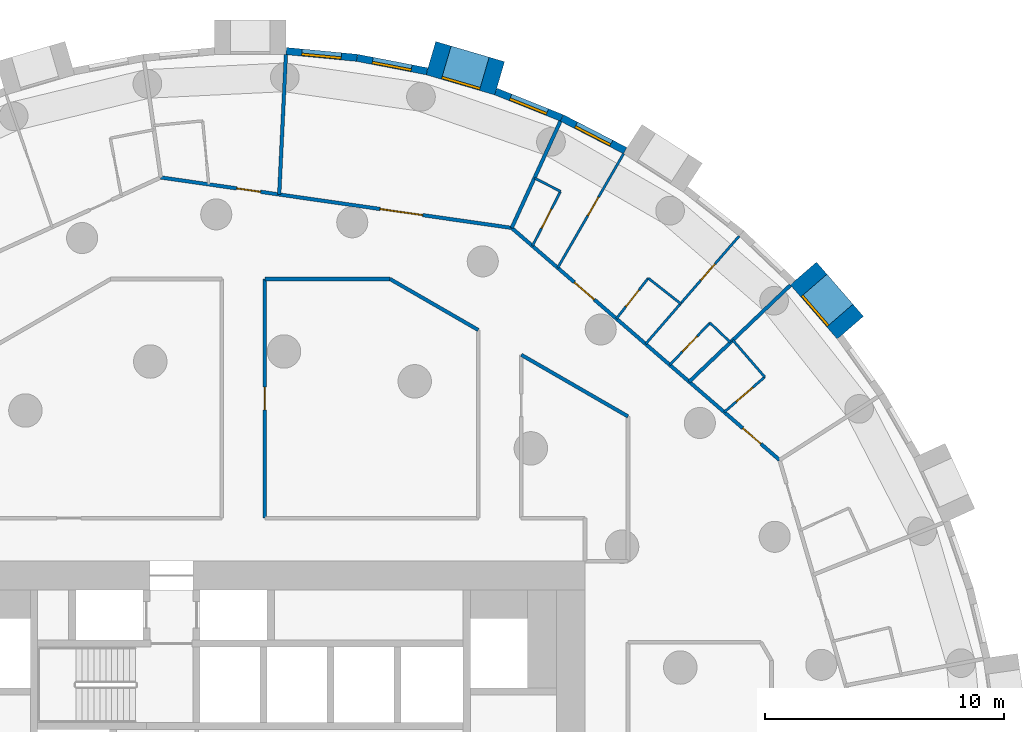
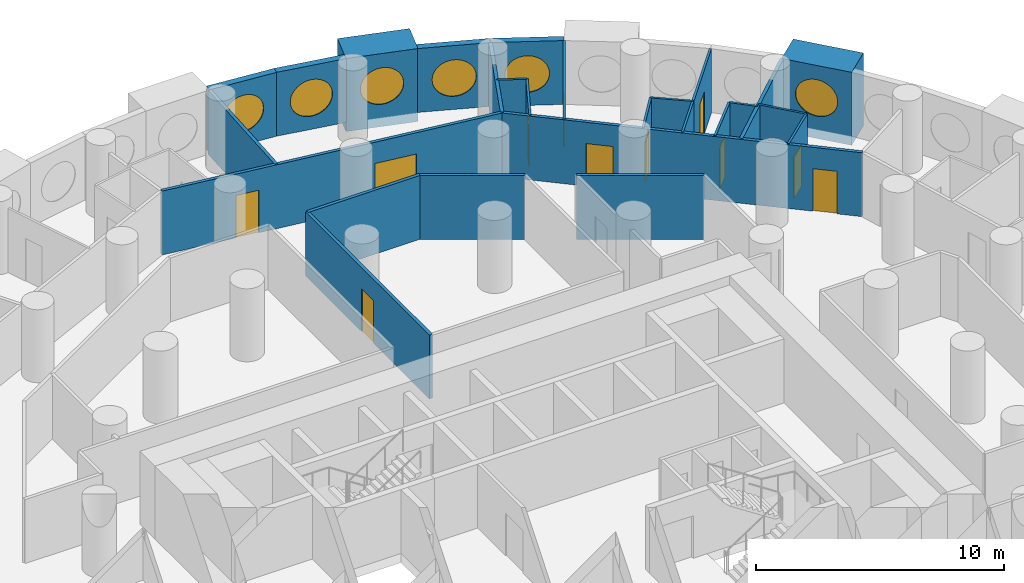
# One storey, part 10 of 12: 26 walls, 11 doors, 6 windows, 17 openings.
"""IFC4 building model written with IfcOpenShell, lengths in metres."""

from ifc_helpers import new_model, si_unit, direction, frame, frame_2d, origin, origin_2d, place, context, subcontext, project, spatial, rectangle, circle, extrude, material, layer, layer_set, type_object, element, fill, save


model = new_model("IFC4")

# Units and contexts
model_context = context("Model", 3, precision=1e-05, world=origin(), true_north=direction((0.0, 1.0)))
body_context = subcontext(model_context, "Body", "Model", "MODEL_VIEW")
ifc_project = project(units=[si_unit("LENGTHUNIT", "METRE"), si_unit("AREAUNIT", "SQUARE_METRE"), si_unit("VOLUMEUNIT", "CUBIC_METRE"), si_unit("PLANEANGLEUNIT", "RADIAN"), si_unit("MASSUNIT", "GRAM", prefix="KILO")], contexts=[model_context])

# Site, building, storey
site_placement = place(None, origin())
site = spatial("IfcSite", under=ifc_project, at=site_placement, CompositionType="ELEMENT")
building_placement = place(site_placement, origin())
building = spatial("IfcBuilding", under=site, at=building_placement, Name="Tracery Tower", CompositionType="ELEMENT")
storey_placement = place(building_placement, frame((0.0, 0.0, 107.39990234375)))
storey = spatial("IfcBuildingStorey", under=building, at=storey_placement, Name="L27", CompositionType="ELEMENT", Elevation=107.39990234375)

# Wall, opening, window
ifc_material_1 = material(Name="Precast concrete C50/60", Category="concrete")
ifc_layer_1 = layer(ifc_material_1, 1.449951171875)
ifc_layer_set_1 = layer_set([ifc_layer_1], Name="Deep-set bay unit 3000 x 3600, slab edge 450")
wall_type_1 = type_object("IfcWallType", Name="Deep-set bay unit 3000 x 3600, slab edge 450", PredefinedType="ELEMENTEDWALL", material=ifc_layer_set_1)
wall_1_placement = place(storey_placement, frame((25.101318359375, 19.765625, -0.449951171875), z_axis=(0.0, 0.0, 1.0), x_axis=(-0.654890259022, 0.75572398972, 0.0)))
wall_1 = element("IfcWall", 1, at=wall_1_placement, inside=storey, type_object=wall_type_1, Name="Deep-set bay unit 8 at L27", PredefinedType="ELEMENTEDWALL", context=body_context, shape_type="SweptSolid", body=[
    extrude(rectangle(XDim=3.0, YDim=1.449951171875, at=frame_2d((1.5, 0.0))), origin(), (0.0, 0.0, 1.0), 3.60009765625),
])
opening_1_placement = place(wall_1_placement, frame((1.5, 0.0, 2.0)))
opening_1 = element("IfcOpeningElement", 2, at=opening_1_placement, cuts=wall_1, Name="Opening WN1", PredefinedType="OPENING", context=body_context, shape_type="SweptSolid", body=[
    extrude(circle(Radius=0.9000244140625, at=origin_2d()), frame((0.0, 0.73486328125, 0.0), z_axis=(0.0, -1.0, 0.0), x_axis=(1.0, 0.0, 0.0)), (0.0, 0.0, 1.0), 1.469970703125),
])
ifc_material_2 = material(Name="Aluminium frame with tinted double glazing", Category="aluminium")
window_type = type_object("IfcWindowType", Name="Round window 1800", PartitioningType="SINGLE_PANEL", PredefinedType="WINDOW", material=ifc_material_2)
window_1_placement = place(opening_1_placement, origin())
window_1 = element("IfcWindow", 3, at=window_1_placement, inside=storey, type_object=window_type, Name="Round window 8 at L27", OverallHeight=1.800048828125, OverallWidth=1.800048828125, PartitioningType="SINGLE_PANEL", PredefinedType="WINDOW", context=body_context, shape_type="SweptSolid", body=[
    extrude(circle(Radius=0.9000244140625, at=origin_2d()), frame((0.0, 0.69482421875, 0.0), z_axis=(0.0, -1.0, 0.0), x_axis=(1.0, 0.0, 0.0)), (0.0, 0.0, 1.0), 0.10009765625),
])
fill(opening_1, window_1)

wall_2_placement = place(storey_placement, frame((10.430419921875, 30.198486328125, -0.449951171875), z_axis=(0.0, 0.0, 1.0), x_axis=(-0.959489813418, 0.281743319258, 0.0)))
wall_2 = element("IfcWall", 4, at=wall_2_placement, inside=storey, type_object=wall_type_1, Name="Deep-set bay unit 14 at L27", PredefinedType="ELEMENTEDWALL", context=body_context, shape_type="SweptSolid", body=[
    extrude(rectangle(XDim=3.0, YDim=1.449951171875, at=frame_2d((1.5, 0.0))), origin(), (0.0, 0.0, 1.0), 3.60009765625),
])
opening_2_placement = place(wall_2_placement, frame((1.5, 0.0, 2.0)))
opening_2 = element("IfcOpeningElement", 5, at=opening_2_placement, cuts=wall_2, Name="Opening WN1", PredefinedType="OPENING", context=body_context, shape_type="SweptSolid", body=[
    extrude(circle(Radius=0.9000244140625, at=origin_2d()), frame((0.0, 0.73486328125, 0.0), z_axis=(0.0, -1.0, 0.0), x_axis=(1.0, 0.0, 0.0)), (0.0, 0.0, 1.0), 1.469970703125),
])
window_2_placement = place(opening_2_placement, origin())
window_2 = element("IfcWindow", 6, at=window_2_placement, inside=storey, type_object=window_type, Name="Round window 14 at L27", OverallHeight=1.800048828125, OverallWidth=1.800048828125, PartitioningType="SINGLE_PANEL", PredefinedType="WINDOW", context=body_context, shape_type="SweptSolid", body=[
    extrude(circle(Radius=0.9000244140625, at=origin_2d()), frame((0.0, 0.69482421875, 0.0), z_axis=(0.0, -1.0, 0.0), x_axis=(1.0, 0.0, 0.0)), (0.0, 0.0, 1.0), 0.10009765625),
])
fill(opening_2, window_2)

ifc_material_3 = material(Name="Precast concrete C50/60", Category="concrete")
ifc_layer_2 = layer(ifc_material_3, 0.300048828125)
ifc_layer_set_2 = layer_set([ifc_layer_2], Name="Facade panel 3000 x 3150")
wall_type_2 = type_object("IfcWallType", Name="Facade panel 3000 x 3150", PredefinedType="SOLIDWALL", material=ifc_layer_set_2)
wall_3_placement = place(storey_placement, frame((15.681884765625, 27.173828125, 0.0), z_axis=(0.0, 0.0, 1.0), x_axis=(-0.888819853856, 0.458256770153, 0.0)))
wall_3 = element("IfcWall", 7, at=wall_3_placement, inside=storey, type_object=wall_type_2, Name="Facade panel 12 at L27", PredefinedType="SOLIDWALL", context=body_context, shape_type="SweptSolid", body=[
    extrude(rectangle(XDim=2.979736328125, YDim=0.300048828125, at=frame_2d((1.48974609375, 0.0))), origin(), (0.0, 0.0, 1.0), 3.150146484375),
])
opening_3_placement = place(wall_3_placement, frame((1.48974609375, 0.0, 1.5498046875)))
opening_3 = element("IfcOpeningElement", 8, at=opening_3_placement, cuts=wall_3, Name="Opening WN1", PredefinedType="OPENING", context=body_context, shape_type="SweptSolid", body=[
    extrude(circle(Radius=0.9000244140625, at=origin_2d()), frame((0.0, 0.159912109375, 0.0), z_axis=(0.0, -1.0, 0.0), x_axis=(1.0, 0.0, 0.0)), (0.0, 0.0, 1.0), 0.320068359375),
])
window_3_placement = place(opening_3_placement, origin())
window_3 = element("IfcWindow", 9, at=window_3_placement, inside=storey, type_object=window_type, Name="Round window 12 at L27", OverallHeight=1.800048828125, OverallWidth=1.800048828125, PartitioningType="SINGLE_PANEL", PredefinedType="WINDOW", context=body_context, shape_type="SweptSolid", body=[
    extrude(circle(Radius=0.9000244140625, at=origin_2d()), frame((0.0, 0.1201171875, 0.0), z_axis=(0.0, -1.0, 0.0), x_axis=(1.0, 0.0, 0.0)), (0.0, 0.0, 1.0), 0.10009765625),
])
fill(opening_3, window_3)

wall_4_placement = place(storey_placement, frame((13.033447265625, 28.539306640625, 0.0), z_axis=(0.0, 0.0, 1.0), x_axis=(-0.928403213937, 0.371574316054, 0.0)))
wall_4 = element("IfcWall", 10, at=wall_4_placement, inside=storey, type_object=wall_type_2, Name="Facade panel 13 at L27", PredefinedType="SOLIDWALL", context=body_context, shape_type="SweptSolid", body=[
    extrude(rectangle(XDim=2.979736328125, YDim=0.300048828125, at=frame_2d((1.48974609375, 0.0))), origin(), (0.0, 0.0, 1.0), 3.150146484375),
])
opening_4_placement = place(wall_4_placement, frame((1.48974609375, 0.0, 1.5498046875)))
opening_4 = element("IfcOpeningElement", 11, at=opening_4_placement, cuts=wall_4, Name="Opening WN1", PredefinedType="OPENING", context=body_context, shape_type="SweptSolid", body=[
    extrude(circle(Radius=0.9000244140625, at=origin_2d()), frame((0.0, 0.159912109375, 0.0), z_axis=(0.0, -1.0, 0.0), x_axis=(1.0, 0.0, 0.0)), (0.0, 0.0, 1.0), 0.320068359375),
])
window_4_placement = place(opening_4_placement, origin())
window_4 = element("IfcWindow", 12, at=window_4_placement, inside=storey, type_object=window_type, Name="Round window 13 at L27", OverallHeight=1.800048828125, OverallWidth=1.800048828125, PartitioningType="SINGLE_PANEL", PredefinedType="WINDOW", context=body_context, shape_type="SweptSolid", body=[
    extrude(circle(Radius=0.9000244140625, at=origin_2d()), frame((0.0, 0.1201171875, 0.0), z_axis=(0.0, -1.0, 0.0), x_axis=(1.0, 0.0, 0.0)), (0.0, 0.0, 1.0), 0.10009765625),
])
fill(opening_4, window_4)

wall_5_placement = place(storey_placement, frame((7.390869140625, 30.4912109375, 0.0), z_axis=(0.0, 0.0, 1.0), x_axis=(-0.981924535406, 0.189272836848, 0.0)))
wall_5 = element("IfcWall", 13, at=wall_5_placement, inside=storey, type_object=wall_type_2, Name="Facade panel 15 at L27", PredefinedType="SOLIDWALL", context=body_context, shape_type="SweptSolid", body=[
    extrude(rectangle(XDim=2.979736328125, YDim=0.300048828125, at=frame_2d((1.48974609375, 0.0))), origin(), (0.0, 0.0, 1.0), 3.150146484375),
])
opening_5_placement = place(wall_5_placement, frame((1.48974609375, 0.0, 1.5498046875)))
opening_5 = element("IfcOpeningElement", 14, at=opening_5_placement, cuts=wall_5, Name="Opening WN1", PredefinedType="OPENING", context=body_context, shape_type="SweptSolid", body=[
    extrude(circle(Radius=0.9000244140625, at=origin_2d()), frame((0.0, 0.159912109375, 0.0), z_axis=(0.0, -1.0, 0.0), x_axis=(1.0, 0.0, 0.0)), (0.0, 0.0, 1.0), 0.320068359375),
])
window_5_placement = place(opening_5_placement, origin())
window_5 = element("IfcWindow", 15, at=window_5_placement, inside=storey, type_object=window_type, Name="Round window 15 at L27", OverallHeight=1.800048828125, OverallWidth=1.800048828125, PartitioningType="SINGLE_PANEL", PredefinedType="WINDOW", context=body_context, shape_type="SweptSolid", body=[
    extrude(circle(Radius=0.9000244140625, at=origin_2d()), frame((0.0, 0.1201171875, 0.0), z_axis=(0.0, -1.0, 0.0), x_axis=(1.0, 0.0, 0.0)), (0.0, 0.0, 1.0), 0.10009765625),
])
fill(opening_5, window_5)

wall_6_placement = place(storey_placement, frame((4.465087890625, 31.05517578125, 0.0), z_axis=(0.0, 0.0, 1.0), x_axis=(-0.995473351551, 0.095041077185, 0.0)))
wall_6 = element("IfcWall", 16, at=wall_6_placement, inside=storey, type_object=wall_type_2, Name="Facade panel 16 at L27", PredefinedType="SOLIDWALL", context=body_context, shape_type="SweptSolid", body=[
    extrude(rectangle(XDim=2.979736328125, YDim=0.300048828125, at=frame_2d((1.48974609375, 0.0))), origin(), (0.0, 0.0, 1.0), 3.150146484375),
])
opening_6_placement = place(wall_6_placement, frame((1.48974609375, 0.0, 1.5498046875)))
opening_6 = element("IfcOpeningElement", 17, at=opening_6_placement, cuts=wall_6, Name="Opening WN1", PredefinedType="OPENING", context=body_context, shape_type="SweptSolid", body=[
    extrude(circle(Radius=0.9000244140625, at=origin_2d()), frame((0.0, 0.159912109375, 0.0), z_axis=(0.0, -1.0, 0.0), x_axis=(1.0, 0.0, 0.0)), (0.0, 0.0, 1.0), 0.320068359375),
])
window_6_placement = place(opening_6_placement, origin())
window_6 = element("IfcWindow", 18, at=window_6_placement, inside=storey, type_object=window_type, Name="Round window 16 at L27", OverallHeight=1.800048828125, OverallWidth=1.800048828125, PartitioningType="SINGLE_PANEL", PredefinedType="WINDOW", context=body_context, shape_type="SweptSolid", body=[
    extrude(circle(Radius=0.9000244140625, at=origin_2d()), frame((0.0, 0.1201171875, 0.0), z_axis=(0.0, -1.0, 0.0), x_axis=(1.0, 0.0, 0.0)), (0.0, 0.0, 1.0), 0.10009765625),
])
fill(opening_6, window_6)

# Wall, opening, door
ifc_material_4 = material(Name="Plasterboard on steel studs", Category="steel")
ifc_layer_3 = layer(ifc_material_4, 0.10009765625)
ifc_layer_set_3 = layer_set([ifc_layer_3], Name="Partition 100 stud")
wall_type_3 = type_object("IfcWallType", Name="Partition 100 stud", PredefinedType="PARTITIONING", material=ifc_layer_set_3)
wall_7_placement = place(storey_placement, frame((18.0, 20.77294921875, 0.0), z_axis=(0.0, 0.0, 1.0), x_axis=(0.654885780154, 0.755727870964, 0.0)))
wall_7 = element("IfcWall", 19, at=wall_7_placement, inside=storey, type_object=wall_type_3, Name="Stud partition RA8-075", PredefinedType="PARTITIONING", context=body_context, shape_type="SweptSolid", body=[
    extrude(rectangle(XDim=3.738037109375, YDim=0.10009765625, at=frame_2d((1.869140625, 0.0))), origin(), (0.0, 0.0, 1.0), 3.150146484375),
])
opening_7_placement = place(wall_7_placement, frame((1.297119140625, 0.0, 0.0)))
opening_7 = element("IfcOpeningElement", 20, at=opening_7_placement, cuts=wall_7, Name="Opening RA8-20", PredefinedType="OPENING", context=body_context, shape_type="SweptSolid", body=[
    extrude(rectangle(XDim=0.89990234375, YDim=2.10009765625, at=frame_2d((0.449951171875, 1.050048828125))), frame((0.0, 0.050048828125, 0.0), z_axis=(0.0, -1.0, 0.0), x_axis=(1.0, 0.0, 0.0)), (0.0, 0.0, 1.0), 0.10009765625),
])
ifc_material_5 = material(Name="Timber door leaf", Category="wood")
door_type_1 = type_object("IfcDoorType", Name="Door bedroom 900", OperationType="NOTDEFINED", PredefinedType="DOOR", material=ifc_material_5)
door_1_placement = place(opening_7_placement, origin())
door_1 = element("IfcDoor", 21, at=door_1_placement, inside=storey, type_object=door_type_1, Name="Bedroom door RA8-20", OperationType="SINGLE_SWING_RIGHT", OverallHeight=2.10009765625, OverallWidth=0.89990234375, PredefinedType="DOOR", context=body_context, shape_type="SweptSolid", body=[
    extrude(rectangle(XDim=0.89990234375, YDim=2.10009765625, at=frame_2d((0.449951171875, 1.050048828125))), frame((0.0, 0.02490234375, 0.0), z_axis=(0.0, -1.0, 0.0), x_axis=(1.0, 0.0, 0.0)), (0.0, 0.0, 1.0), 0.050048828125),
])
fill(opening_7, door_1)

wall_8_placement = place(storey_placement, frame((12.85888671875, 22.27197265625, 0.0), z_axis=(0.0, 0.0, 1.0), x_axis=(0.499968073049, 0.866043836033, 0.0)))
wall_8 = element("IfcWall", 22, at=wall_8_placement, inside=storey, type_object=wall_type_3, Name="Stud partition RA8-076", PredefinedType="PARTITIONING", context=body_context, shape_type="SweptSolid", body=[
    extrude(rectangle(XDim=5.506591796875, YDim=0.10009765625, at=frame_2d((2.75341796875, 0.0))), origin(), (0.0, 0.0, 1.0), 3.150146484375),
])
opening_8_placement = place(wall_8_placement, frame((2.513916015625, 0.0, 0.0)))
opening_8 = element("IfcOpeningElement", 23, at=opening_8_placement, cuts=wall_8, Name="Opening RA8-22", PredefinedType="OPENING", context=body_context, shape_type="SweptSolid", body=[
    extrude(rectangle(XDim=0.89990234375, YDim=2.10009765625, at=frame_2d((0.449951171875, 1.050048828125))), frame((0.0, 0.050048828125, 0.0), z_axis=(0.0, -1.0, 0.0), x_axis=(1.0, 0.0, 0.0)), (0.0, 0.0, 1.0), 0.10009765625),
])
door_2_placement = place(opening_8_placement, origin())
door_2 = element("IfcDoor", 24, at=door_2_placement, inside=storey, type_object=door_type_1, Name="Bedroom door RA8-22", OperationType="SINGLE_SWING_RIGHT", OverallHeight=2.10009765625, OverallWidth=0.89990234375, PredefinedType="DOOR", context=body_context, shape_type="SweptSolid", body=[
    extrude(rectangle(XDim=0.89990234375, YDim=2.10009765625, at=frame_2d((0.449951171875, 1.050048828125))), frame((0.0, 0.02490234375, 0.0), z_axis=(0.0, -1.0, 0.0), x_axis=(1.0, 0.0, 0.0)), (0.0, 0.0, 1.0), 0.050048828125),
])
fill(opening_8, door_2)

ifc_material_6 = material(Name="Plasterboard on steel studs", Category="steel")
ifc_layer_4 = layer(ifc_material_6, 0.10009765625)
ifc_layer_set_4 = layer_set([ifc_layer_4], Name="Partition 100 wet wall")
wall_type_4 = type_object("IfcWallType", Name="Partition 100 wet wall", PredefinedType="PARTITIONING", material=ifc_layer_set_4)
wall_9_placement = place(storey_placement, frame((19.825927734375, 16.23388671875, 0.0), z_axis=(0.0, 0.0, 1.0), x_axis=(0.755703447798, 0.654913963042, 0.0)))
wall_9 = element("IfcWall", 25, at=wall_9_placement, inside=storey, type_object=wall_type_4, Name="Wet wall RA8-070", PredefinedType="PARTITIONING", context=body_context, shape_type="SweptSolid", body=[
    extrude(rectangle(XDim=2.242919921875, YDim=0.10009765625, at=frame_2d((1.12158203125, 0.0))), origin(), (0.0, 0.0, 1.0), 3.150146484375),
])
opening_9_placement = place(wall_9_placement, frame((0.6708984375, 0.0, 0.0)))
opening_9 = element("IfcOpeningElement", 26, at=opening_9_placement, cuts=wall_9, Name="Opening RA8-16", PredefinedType="OPENING", context=body_context, shape_type="SweptSolid", body=[
    extrude(rectangle(XDim=0.89990234375, YDim=2.0400390625, at=frame_2d((0.449951171875, 1.02001953125))), frame((0.0, 0.050048828125, 0.0), z_axis=(0.0, -1.0, 0.0), x_axis=(1.0, 0.0, 0.0)), (0.0, 0.0, 1.0), 0.10009765625),
])
ifc_material_7 = material(Name="Timber door leaf", Category="wood")
door_type_2 = type_object("IfcDoorType", Name="Door en-suite 900", OperationType="NOTDEFINED", PredefinedType="DOOR", material=ifc_material_7)
door_3_placement = place(opening_9_placement, origin())
door_3 = element("IfcDoor", 27, at=door_3_placement, inside=storey, type_object=door_type_2, Name="En-suite door RA8-16", OperationType="SINGLE_SWING_LEFT", OverallHeight=2.0400390625, OverallWidth=0.89990234375, PredefinedType="DOOR", context=body_context, shape_type="SweptSolid", body=[
    extrude(rectangle(XDim=0.89990234375, YDim=2.0400390625, at=frame_2d((0.449951171875, 1.02001953125))), frame((0.0, 0.02490234375, 0.0), z_axis=(0.0, -1.0, 0.0), x_axis=(1.0, 0.0, 0.0)), (0.0, 0.0, 1.0), 0.050048828125),
])
fill(opening_9, door_3)

# Walls
wall_10_placement = place(storey_placement, frame((20.18408203125, 19.2451171875, 0.0), z_axis=(0.0, 0.0, 1.0), x_axis=(0.655017058368, -0.755614090159, 0.0)))
element("IfcWall", 28, at=wall_10_placement, inside=storey, type_object=wall_type_4, Name="Wet wall RA8-071", PredefinedType="PARTITIONING", context=body_context, shape_type="SweptSolid", body=[
    extrude(rectangle(XDim=2.041015625, YDim=0.10009765625, at=frame_2d((1.0205078125, 0.0))), origin(), (0.0, 0.0, 1.0), 3.150146484375),
])
wall_11_placement = place(storey_placement, frame((16.64599609375, 21.837890625, 0.0), z_axis=(0.0, 0.0, 1.0), x_axis=(0.78601333061, -0.618209547082, 0.0)))
element("IfcWall", 29, at=wall_11_placement, inside=storey, type_object=wall_type_4, Name="Wet wall RA8-073", PredefinedType="PARTITIONING", context=body_context, shape_type="SweptSolid", body=[
    extrude(rectangle(XDim=1.72265625, YDim=0.10009765625, at=frame_2d((0.861328125, 0.0))), origin(), (0.0, 0.0, 1.0), 3.150146484375),
])

# Wall, opening, door
wall_12_placement = place(storey_placement, frame((15.31494140625, 20.14404296875, 0.0), z_axis=(0.0, 0.0, 1.0), x_axis=(0.617871601496, 0.786279011588, 0.0)))
wall_12 = element("IfcWall", 30, at=wall_12_placement, inside=storey, type_object=wall_type_4, Name="Wet wall RA8-074", PredefinedType="PARTITIONING", context=body_context, shape_type="SweptSolid", body=[
    extrude(rectangle(XDim=2.154296875, YDim=0.10009765625, at=frame_2d((1.0771484375, 0.0))), origin(), (0.0, 0.0, 1.0), 3.150146484375),
])
opening_10_placement = place(wall_12_placement, frame((0.627197265625, 0.0, 0.0)))
opening_10 = element("IfcOpeningElement", 31, at=opening_10_placement, cuts=wall_12, Name="Opening RA8-19", PredefinedType="OPENING", context=body_context, shape_type="SweptSolid", body=[
    extrude(rectangle(XDim=0.89990234375, YDim=2.0, at=frame_2d((0.449951171875, 1.0))), frame((0.0, 0.050048828125, 0.0), z_axis=(0.0, -1.0, 0.0), x_axis=(1.0, 0.0, 0.0)), (0.0, 0.0, 1.0), 0.10009765625),
])
ifc_material_8 = material(Name="Timber door leaf", Category="wood")
door_type_3 = type_object("IfcDoorType", Name="Door shower room 900", OperationType="NOTDEFINED", PredefinedType="DOOR", material=ifc_material_8)
door_4_placement = place(opening_10_placement, origin())
door_4 = element("IfcDoor", 32, at=door_4_placement, inside=storey, type_object=door_type_3, Name="Shower room door RA8-19", OperationType="SINGLE_SWING_LEFT", OverallHeight=2.0, OverallWidth=0.89990234375, PredefinedType="DOOR", context=body_context, shape_type="SweptSolid", body=[
    extrude(rectangle(XDim=0.89990234375, YDim=2.0, at=frame_2d((0.449951171875, 1.0))), frame((0.0, 0.02490234375, 0.0), z_axis=(0.0, -1.0, 0.0), x_axis=(1.0, 0.0, 0.0)), (0.0, 0.0, 1.0), 0.050048828125),
])
fill(opening_10, door_4)

# Walls
wall_13_placement = place(storey_placement, frame((16.537109375, 19.0849609375, 0.0), z_axis=(0.0, 0.0, 1.0), x_axis=(0.654922216086, 0.755696295397, 0.0)))
element("IfcWall", 33, at=wall_13_placement, inside=storey, type_object=wall_type_4, Name="Wet wall RA8-077", PredefinedType="PARTITIONING", context=body_context, shape_type="SweptSolid", body=[
    extrude(rectangle(XDim=2.233642578125, YDim=0.10009765625, at=frame_2d((1.11669921875, 0.0))), origin(), (0.0, 0.0, 1.0), 3.150146484375),
])
wall_14_placement = place(storey_placement, frame((19.22705078125, 19.968017578125, 0.0), z_axis=(0.0, 0.0, 1.0), x_axis=(0.724103627225, -0.68969118962, 0.0)))
element("IfcWall", 34, at=wall_14_placement, inside=storey, type_object=wall_type_4, Name="Wet wall RA8-078", PredefinedType="PARTITIONING", context=body_context, shape_type="SweptSolid", body=[
    extrude(rectangle(XDim=1.184814453125, YDim=0.10009765625, at=frame_2d((0.59228515625, 0.0))), origin(), (0.0, 0.0, 1.0), 3.150146484375),
])

# Wall, opening, door
wall_15_placement = place(storey_placement, frame((17.549072265625, 18.2080078125, 0.0), z_axis=(0.0, 0.0, 1.0), x_axis=(0.690038643162, 0.723772527071, 0.0)))
wall_15 = element("IfcWall", 35, at=wall_15_placement, inside=storey, type_object=wall_type_4, Name="Wet wall RA8-079", PredefinedType="PARTITIONING", context=body_context, shape_type="SweptSolid", body=[
    extrude(rectangle(XDim=2.431640625, YDim=0.10009765625, at=frame_2d((1.2158203125, 0.0))), origin(), (0.0, 0.0, 1.0), 3.150146484375),
])
opening_11_placement = place(wall_15_placement, frame((0.765625, 0.0, 0.0)))
opening_11 = element("IfcOpeningElement", 36, at=opening_11_placement, cuts=wall_15, Name="Opening RA8-21", PredefinedType="OPENING", context=body_context, shape_type="SweptSolid", body=[
    extrude(rectangle(XDim=0.89990234375, YDim=2.0400390625, at=frame_2d((0.449951171875, 1.02001953125))), frame((0.0, 0.050048828125, 0.0), z_axis=(0.0, -1.0, 0.0), x_axis=(1.0, 0.0, 0.0)), (0.0, 0.0, 1.0), 0.10009765625),
])
door_5_placement = place(opening_11_placement, origin())
door_5 = element("IfcDoor", 37, at=door_5_placement, inside=storey, type_object=door_type_2, Name="En-suite door RA8-21", OperationType="SINGLE_SWING_RIGHT", OverallHeight=2.0400390625, OverallWidth=0.89990234375, PredefinedType="DOOR", context=body_context, shape_type="SweptSolid", body=[
    extrude(rectangle(XDim=0.89990234375, YDim=2.0400390625, at=frame_2d((0.449951171875, 1.02001953125))), frame((0.0, 0.02490234375, 0.0), z_axis=(0.0, -1.0, 0.0), x_axis=(1.0, 0.0, 0.0)), (0.0, 0.0, 1.0), 0.050048828125),
])
fill(opening_11, door_5)

wall_16_placement = place(storey_placement, frame((11.802001953125, 23.18798828125, 0.0), z_axis=(0.0, 0.0, 1.0), x_axis=(0.457961150758, 0.888972206763, 0.0)))
wall_16 = element("IfcWall", 38, at=wall_16_placement, inside=storey, type_object=wall_type_4, Name="Wet wall RA8-080", PredefinedType="PARTITIONING", context=body_context, shape_type="SweptSolid", body=[
    extrude(rectangle(XDim=2.563720703125, YDim=0.10009765625, at=frame_2d((1.28173828125, 0.0))), origin(), (0.0, 0.0, 1.0), 3.150146484375),
])
opening_12_placement = place(wall_16_placement, frame((0.83203125, 0.0, 0.0)))
opening_12 = element("IfcOpeningElement", 39, at=opening_12_placement, cuts=wall_16, Name="Opening RA8-23", PredefinedType="OPENING", context=body_context, shape_type="SweptSolid", body=[
    extrude(rectangle(XDim=0.89990234375, YDim=2.0400390625, at=frame_2d((0.449951171875, 1.02001953125))), frame((0.0, 0.050048828125, 0.0), z_axis=(0.0, -1.0, 0.0), x_axis=(1.0, 0.0, 0.0)), (0.0, 0.0, 1.0), 0.10009765625),
])
door_6_placement = place(opening_12_placement, origin())
door_6 = element("IfcDoor", 40, at=door_6_placement, inside=storey, type_object=door_type_2, Name="En-suite door RA8-23", OperationType="SINGLE_SWING_RIGHT", OverallHeight=2.0400390625, OverallWidth=0.89990234375, PredefinedType="DOOR", context=body_context, shape_type="SweptSolid", body=[
    extrude(rectangle(XDim=0.89990234375, YDim=2.0400390625, at=frame_2d((0.449951171875, 1.02001953125))), frame((0.0, 0.02490234375, 0.0), z_axis=(0.0, -1.0, 0.0), x_axis=(1.0, 0.0, 0.0)), (0.0, 0.0, 1.0), 0.050048828125),
])
fill(opening_12, door_6)

# Walls
wall_17_placement = place(storey_placement, frame((11.886962890625, 26.028076171875, 0.0), z_axis=(0.0, 0.0, 1.0), x_axis=(0.888981931645, -0.457942272791, 0.0)))
element("IfcWall", 41, at=wall_17_placement, inside=storey, type_object=wall_type_4, Name="Wet wall RA8-081", PredefinedType="PARTITIONING", context=body_context, shape_type="SweptSolid", body=[
    extrude(rectangle(XDim=1.22509765625, YDim=0.10009765625, at=frame_2d((0.612548828125, 0.0))), origin(), (0.0, 0.0, 1.0), 3.150146484375),
])
ifc_material_9 = material(Name="Plasterboard on steel studs", Category="steel")
ifc_layer_5 = layer(ifc_material_9, 0.14990234375)
ifc_layer_set_5 = layer_set([ifc_layer_5], Name="Partition 150 acoustic unit wall")
wall_type_5 = type_object("IfcWallType", Name="Partition 150 acoustic unit wall", PredefinedType="PARTITIONING", material=ifc_layer_set_5)
wall_18_placement = place(storey_placement, frame((18.359619140625, 17.50537109375, 0.0), z_axis=(0.0, 0.0, 1.0), x_axis=(0.723686703731, 0.690128650937, 0.0)))
element("IfcWall", 42, at=wall_18_placement, inside=storey, type_object=wall_type_5, Name="Unit wall RA8-072", PredefinedType="PARTITIONING", context=body_context, shape_type="SweptSolid", body=[
    extrude(rectangle(XDim=5.8564453125, YDim=0.14990234375, at=frame_2d((2.92822265625, 0.0))), origin(), (0.0, 0.0, 1.0), 3.150146484375),
])
wall_19_placement = place(storey_placement, frame((10.933837890625, 23.939697265625, 0.0), z_axis=(0.0, 0.0, 1.0), x_axis=(0.415204619086, 0.909728049633, 0.0)))
element("IfcWall", 43, at=wall_19_placement, inside=storey, type_object=wall_type_5, Name="Unit wall RA8-082", PredefinedType="PARTITIONING", context=body_context, shape_type="SweptSolid", body=[
    extrude(rectangle(XDim=4.90625, YDim=0.14990234375, at=frame_2d((2.453125, 0.0))), origin(), (0.0, 0.0, 1.0), 3.150146484375),
])
wall_20_placement = place(storey_placement, frame((1.20703125, 25.339111328125, 0.0), z_axis=(0.0, 0.0, 1.0), x_axis=(0.047648334785, 0.998864173045, 0.0)))
element("IfcWall", 44, at=wall_20_placement, inside=storey, type_object=wall_type_5, Name="Unit wall RA8-083", PredefinedType="PARTITIONING", context=body_context, shape_type="SweptSolid", body=[
    extrude(rectangle(XDim=5.8564453125, YDim=0.14990234375, at=frame_2d((2.92822265625, 0.0))), origin(), (0.0, 0.0, 1.0), 3.150146484375),
])

# Wall, openings, doors
ifc_material_10 = material(Name="Plasterboard on steel studs", Category="steel")
ifc_layer_6 = layer(ifc_material_10, 0.14990234375)
ifc_layer_set_6 = layer_set([ifc_layer_6], Name="Partition 150 corridor wall")
wall_type_6 = type_object("IfcWallType", Name="Partition 150 corridor wall", PredefinedType="PARTITIONING", material=ifc_layer_set_6)
wall_21_placement = place(storey_placement, frame((10.93212890625, 23.93896484375, 0.0), z_axis=(0.0, 0.0, 1.0), x_axis=(0.755838982892, -0.654757536757, 0.0)))
wall_21 = element("IfcWall", 45, at=wall_21_placement, inside=storey, type_object=wall_type_6, Name="Corridor wall RA8-022", PredefinedType="PARTITIONING", context=body_context, shape_type="SweptSolid", body=[
    extrude(rectangle(XDim=14.829833984375, YDim=0.14990234375, at=frame_2d((7.4150390625, 0.0))), origin(), (0.0, 0.0, 1.0), 3.150146484375),
])
opening_13_placement = place(wall_21_placement, frame((12.7958984375, 0.0, 0.0)))
opening_13 = element("IfcOpeningElement", 46, at=opening_13_placement, cuts=wall_21, Name="Opening RA8-17", PredefinedType="OPENING", context=body_context, shape_type="SweptSolid", body=[
    extrude(rectangle(XDim=1.0, YDim=2.10009765625, at=frame_2d((0.5, 1.050048828125))), frame((0.0, 0.074951171875, 0.0), z_axis=(0.0, -1.0, 0.0), x_axis=(1.0, 0.0, 0.0)), (0.0, 0.0, 1.0), 0.14990234375),
])
opening_14_placement = place(wall_21_placement, frame((3.472412109375, 0.0, 0.0)))
opening_14 = element("IfcOpeningElement", 47, at=opening_14_placement, cuts=wall_21, Name="Opening RA8-18", PredefinedType="OPENING", context=body_context, shape_type="SweptSolid", body=[
    extrude(rectangle(XDim=1.10009765625, YDim=2.10009765625, at=frame_2d((0.550048828125, 1.050048828125))), frame((0.0, 0.074951171875, 0.0), z_axis=(0.0, -1.0, 0.0), x_axis=(1.0, 0.0, 0.0)), (0.0, 0.0, 1.0), 0.14990234375),
])
ifc_material_11 = material(Name="Timber door leaf", Category="wood")
door_type_4 = type_object("IfcDoorType", Name="Door cluster entrance 1100", OperationType="NOTDEFINED", PredefinedType="DOOR", material=ifc_material_11)
door_7_placement = place(opening_14_placement, origin())
door_7 = element("IfcDoor", 48, at=door_7_placement, inside=storey, type_object=door_type_4, Name="Cluster entrance door RA8-18", OperationType="SINGLE_SWING_LEFT", OverallHeight=2.10009765625, OverallWidth=1.10009765625, PredefinedType="DOOR", context=body_context, shape_type="SweptSolid", body=[
    extrude(rectangle(XDim=1.10009765625, YDim=2.10009765625, at=frame_2d((0.550048828125, 1.050048828125))), frame((0.0, 0.02490234375, 0.0), z_axis=(0.0, -1.0, 0.0), x_axis=(1.0, 0.0, 0.0)), (0.0, 0.0, 1.0), 0.050048828125),
])
fill(opening_14, door_7)
ifc_material_12 = material(Name="Timber door leaf", Category="wood")
door_type_5 = type_object("IfcDoorType", Name="Door unit entrance 1000", OperationType="NOTDEFINED", PredefinedType="DOOR", material=ifc_material_12)
door_8_placement = place(opening_13_placement, origin())
door_8 = element("IfcDoor", 49, at=door_8_placement, inside=storey, type_object=door_type_5, Name="Unit entrance door RA8-17", OperationType="SINGLE_SWING_LEFT", OverallHeight=2.10009765625, OverallWidth=1.0, PredefinedType="DOOR", context=body_context, shape_type="SweptSolid", body=[
    extrude(rectangle(XDim=1.0, YDim=2.10009765625, at=frame_2d((0.5, 1.050048828125))), frame((0.0, 0.02490234375, 0.0), z_axis=(0.0, -1.0, 0.0), x_axis=(1.0, 0.0, 0.0)), (0.0, 0.0, 1.0), 0.050048828125),
])
fill(opening_13, door_8)

# Walls
wall_22_placement = place(storey_placement, frame((5.842041015625, 21.802001953125, 0.0), z_axis=(0.0, 0.0, 1.0), x_axis=(0.865983505205, -0.500072563448, 0.0)))
element("IfcWall", 50, at=wall_22_placement, inside=storey, type_object=wall_type_6, Name="Corridor wall RA8-029", PredefinedType="PARTITIONING", context=body_context, shape_type="SweptSolid", body=[
    extrude(rectangle(XDim=4.265380859375, YDim=0.14990234375, at=frame_2d((2.1328125, 0.0))), origin(), (0.0, 0.0, 1.0), 3.150146484375),
])
wall_23_placement = place(storey_placement, frame((0.60791015625, 21.802001953125, 0.0), z_axis=(0.0, 0.0, 1.0), x_axis=(1.0, 0.0, 0.0)))
element("IfcWall", 51, at=wall_23_placement, inside=storey, type_object=wall_type_6, Name="Corridor wall RA8-030", PredefinedType="PARTITIONING", context=body_context, shape_type="SweptSolid", body=[
    extrude(rectangle(XDim=5.234130859375, YDim=0.14990234375, at=frame_2d((2.6171875, 0.0))), origin(), (0.0, 0.0, 1.0), 3.150146484375),
])

# Wall, opening, door
wall_24_placement = place(storey_placement, frame((0.60791015625, 11.800048828125, 0.0), z_axis=(0.0, 0.0, 1.0), x_axis=(0.0, 1.0, 0.0)))
wall_24 = element("IfcWall", 52, at=wall_24_placement, inside=storey, type_object=wall_type_6, Name="Corridor wall RA8-031", PredefinedType="PARTITIONING", context=body_context, shape_type="SweptSolid", body=[
    extrude(rectangle(XDim=10.001953125, YDim=0.14990234375, at=frame_2d((5.0009765625, 0.0))), origin(), (0.0, 0.0, 1.0), 3.150146484375),
])
opening_15_placement = place(wall_24_placement, frame((4.52587890625, 0.0, 0.0)))
opening_15 = element("IfcOpeningElement", 53, at=opening_15_placement, cuts=wall_24, Name="Opening RA8-02", PredefinedType="OPENING", context=body_context, shape_type="SweptSolid", body=[
    extrude(rectangle(XDim=0.949951171875, YDim=2.10009765625, at=frame_2d((0.47509765625, 1.050048828125))), frame((0.0, 0.074951171875, 0.0), z_axis=(0.0, -1.0, 0.0), x_axis=(1.0, 0.0, 0.0)), (0.0, 0.0, 1.0), 0.14990234375),
])
ifc_material_13 = material(Name="Timber door leaf", Category="wood")
door_type_6 = type_object("IfcDoorType", Name="Door store 950", OperationType="NOTDEFINED", PredefinedType="DOOR", material=ifc_material_13)
door_9_placement = place(opening_15_placement, origin())
door_9 = element("IfcDoor", 54, at=door_9_placement, inside=storey, type_object=door_type_6, Name="Store door RA8-02", OperationType="SINGLE_SWING_RIGHT", OverallHeight=2.10009765625, OverallWidth=0.949951171875, PredefinedType="DOOR", context=body_context, shape_type="SweptSolid", body=[
    extrude(rectangle(XDim=0.949951171875, YDim=2.10009765625, at=frame_2d((0.47509765625, 1.050048828125))), frame((0.0, 0.02490234375, 0.0), z_axis=(0.0, -1.0, 0.0), x_axis=(1.0, 0.0, 0.0)), (0.0, 0.0, 1.0), 0.050048828125),
])
fill(opening_15, door_9)

# Wall
wall_25_placement = place(storey_placement, frame((11.3359375, 18.6298828125, 0.0), z_axis=(0.0, 0.0, 1.0), x_axis=(0.866063337164, -0.499934291702, 0.0)))
element("IfcWall", 55, at=wall_25_placement, inside=storey, type_object=wall_type_6, Name="Corridor wall RA8-032", PredefinedType="PARTITIONING", context=body_context, shape_type="SweptSolid", body=[
    extrude(rectangle(XDim=5.154541015625, YDim=0.14990234375, at=frame_2d((2.5771484375, 0.0))), origin(), (0.0, 0.0, 1.0), 3.150146484375),
])

# Wall, openings, doors
wall_26_placement = place(storey_placement, frame((-3.74609375, 26.050537109375, 0.0), z_axis=(0.0, 0.0, 1.0), x_axis=(0.989821009857, -0.142317843033, 0.0)))
wall_26 = element("IfcWall", 56, at=wall_26_placement, inside=storey, type_object=wall_type_6, Name="Corridor wall RA8-034", PredefinedType="PARTITIONING", context=body_context, shape_type="SweptSolid", body=[
    extrude(rectangle(XDim=14.830078125, YDim=0.14990234375, at=frame_2d((7.4150390625, 0.0))), origin(), (0.0, 0.0, 1.0), 3.150146484375),
])
opening_16_placement = place(wall_26_placement, frame((9.264892578125, 0.0, 0.0)))
opening_16 = element("IfcOpeningElement", 57, at=opening_16_placement, cuts=wall_26, Name="Opening RA8-24", PredefinedType="OPENING", context=body_context, shape_type="SweptSolid", body=[
    extrude(rectangle(XDim=1.800048828125, YDim=2.10009765625, at=frame_2d((0.89990234375, 1.050048828125))), frame((0.0, 0.074951171875, 0.0), z_axis=(0.0, -1.0, 0.0), x_axis=(1.0, 0.0, 0.0)), (0.0, 0.0, 1.0), 0.14990234375),
])
opening_17_placement = place(wall_26_placement, frame((3.213623046875, 0.0, 0.0)))
opening_17 = element("IfcOpeningElement", 58, at=opening_17_placement, cuts=wall_26, Name="Opening RA8-26", PredefinedType="OPENING", context=body_context, shape_type="SweptSolid", body=[
    extrude(rectangle(XDim=1.0, YDim=2.10009765625, at=frame_2d((0.5, 1.050048828125))), frame((0.0, 0.074951171875, 0.0), z_axis=(0.0, -1.0, 0.0), x_axis=(1.0, 0.0, 0.0)), (0.0, 0.0, 1.0), 0.14990234375),
])
ifc_material_14 = material(Name="Timber door leaf", Category="wood")
door_type_7 = type_object("IfcDoorType", Name="Door double lounge 1800", OperationType="NOTDEFINED", PredefinedType="DOOR", material=ifc_material_14)
door_10_placement = place(opening_16_placement, origin())
door_10 = element("IfcDoor", 59, at=door_10_placement, inside=storey, type_object=door_type_7, Name="Double lounge door RA8-24", OperationType="DOUBLE_DOOR_SINGLE_SWING", OverallHeight=2.10009765625, OverallWidth=1.800048828125, PredefinedType="DOOR", context=body_context, shape_type="SweptSolid", body=[
    extrude(rectangle(XDim=1.800048828125, YDim=2.10009765625, at=frame_2d((0.89990234375, 1.050048828125))), frame((0.0, 0.02490234375, 0.0), z_axis=(0.0, -1.0, 0.0), x_axis=(1.0, 0.0, 0.0)), (0.0, 0.0, 1.0), 0.050048828125),
])
fill(opening_16, door_10)
door_11_placement = place(opening_17_placement, origin())
door_11 = element("IfcDoor", 60, at=door_11_placement, inside=storey, type_object=door_type_5, Name="Unit entrance door RA8-26", OperationType="SINGLE_SWING_RIGHT", OverallHeight=2.10009765625, OverallWidth=1.0, PredefinedType="DOOR", context=body_context, shape_type="SweptSolid", body=[
    extrude(rectangle(XDim=1.0, YDim=2.10009765625, at=frame_2d((0.5, 1.050048828125))), frame((0.0, 0.02490234375, 0.0), z_axis=(0.0, -1.0, 0.0), x_axis=(1.0, 0.0, 0.0)), (0.0, 0.0, 1.0), 0.050048828125),
])
fill(opening_17, door_11)

save(model, "model.ifc")
